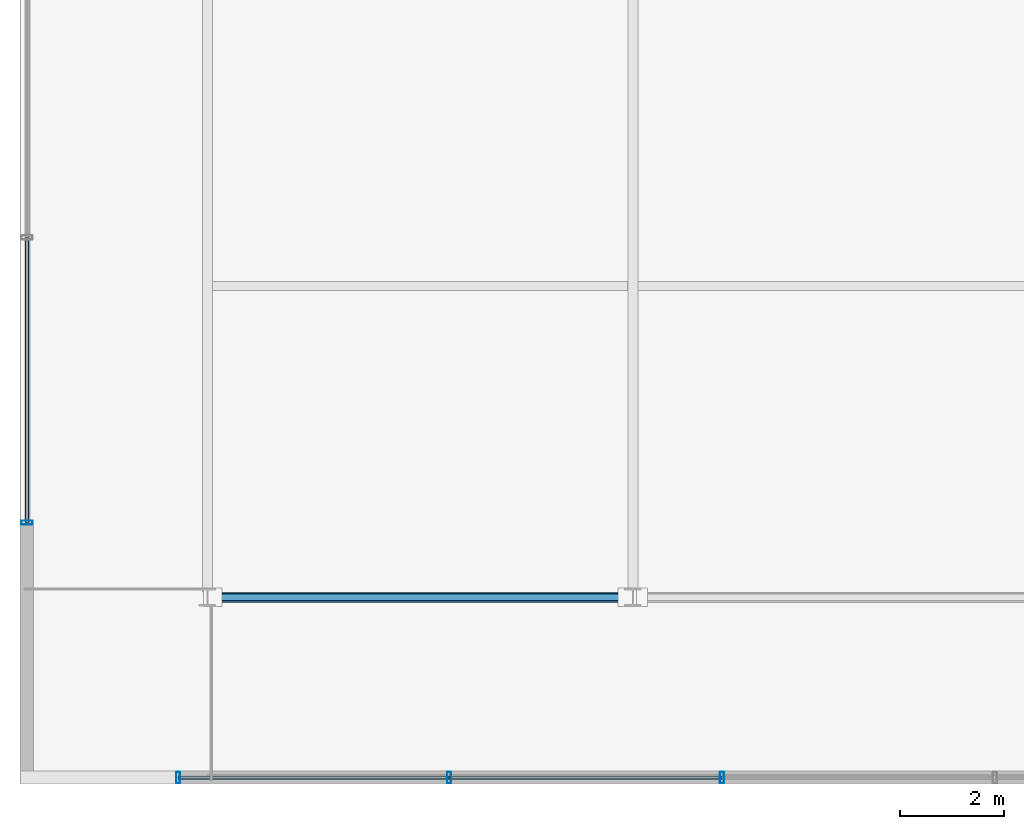
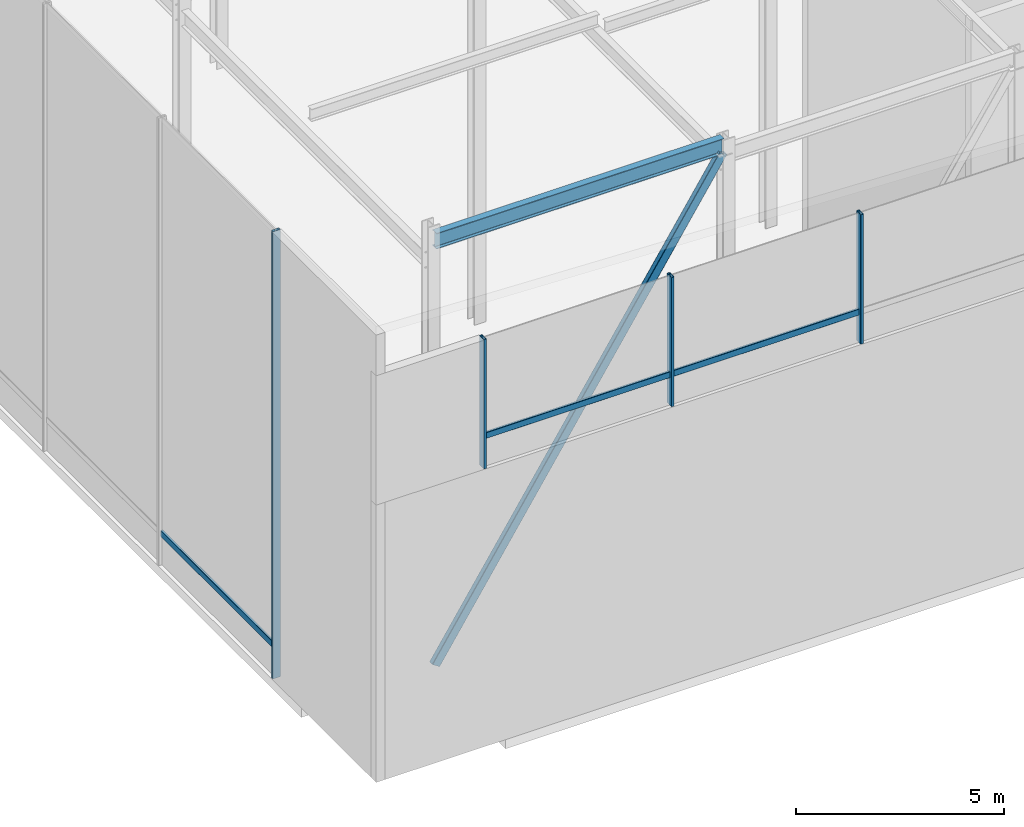
# One storey, part 5 of 39: 8 members, 1 beam, 2 elements without a shape of their own.
"""IFC4 building model written with IfcOpenShell, lengths in metres."""

import ifcopenshell
import ifcopenshell.guid

model = None  # the IFC model being written
_history = None  # IfcOwnerHistory: only IFC2X3 demands one
_inside = {}  # id of a spatial element -> (the spatial element, [elements in it])
_under = {}  # id of a project, library or spatial element -> (it, [spatial elements below it])
_declared = {}  # id of a project -> (the project, [libraries it declares])
_typed = {}  # id of a type object -> (the type object, [elements of that type])
_made_of = {}  # id of a material, layer set ... -> (it, [elements and type objects made of it])


def new_model(schema):
    """Start an empty IFC model of exactly this schema.

    Asked for "IFC4X3", IfcOpenShell would pick the latest addendum, in which some entities
    have other attributes; the version numbers below select the first issue.
    IFC2X3 requires an IfcOwnerHistory on every rooted entity: one is made here for all.
    """
    global model, _history
    if schema == "IFC4X3":
        model = ifcopenshell.file(schema_version=(4, 3, 0, 0))
    else:
        model = ifcopenshell.file(schema=schema)
    _inside.clear()
    _under.clear()
    _declared.clear()
    _typed.clear()
    _made_of.clear()
    _history = None
    if model.schema == "IFC2X3":
        org = make("IfcOrganization", Name="unknown")
        user = make(
            "IfcPersonAndOrganization",
            ThePerson=make("IfcPerson", FamilyName="unknown"),
            TheOrganization=org,
        )
        app = make(
            "IfcApplication",
            ApplicationDeveloper=org,
            Version="unknown",
            ApplicationFullName="unknown",
            ApplicationIdentifier="unknown",
        )
        _history = make(
            "IfcOwnerHistory",
            OwningUser=user,
            OwningApplication=app,
            ChangeAction="ADDED",
            CreationDate=0,
        )
    return model


def make(cls, **values):
    """One entity of the class cls with the attributes given. An attribute that is None is left unset."""
    return model.create_entity(
        cls, **{name: value for name, value in values.items() if value is not None}
    )


def rooted(cls, **values):
    """An entity with a GlobalId (a new one), such as an element, a storey or a relation."""
    return make(cls, GlobalId=ifcopenshell.guid.new(), OwnerHistory=_history, **values)


def si_unit(unit_type, name, prefix=None):
    """IfcSIUnit, for example si_unit("LENGTHUNIT", "METRE", prefix="MILLI")."""
    return make("IfcSIUnit", UnitType=unit_type, Prefix=prefix, Name=name)


def assignment(units):
    """IfcUnitAssignment: the units of a project."""
    return None if units is None else make("IfcUnitAssignment", Units=units)


def point(xyz):
    """IfcCartesianPoint."""
    return None if xyz is None else make("IfcCartesianPoint", Coordinates=xyz)


def direction(xyz):
    """IfcDirection."""
    return None if xyz is None else make("IfcDirection", DirectionRatios=xyz)


def frame(location, z_axis=None, x_axis=None):
    """IfcAxis2Placement3D, a coordinate frame: its origin and axes. An axis left out is left unset."""
    return make(
        "IfcAxis2Placement3D",
        Location=point(location),
        Axis=direction(z_axis),
        RefDirection=direction(x_axis),
    )


def frame_2d(location, x_axis=None):
    """IfcAxis2Placement2D, a coordinate frame in the plane: its origin and x axis."""
    return make(
        "IfcAxis2Placement2D", Location=point(location), RefDirection=direction(x_axis)
    )


def origin():
    """The frame at (0, 0, 0) with its axes left unset."""
    return frame((0.0, 0.0, 0.0))


def origin_2d():
    """The frame at (0, 0) in the plane with its x axis left unset."""
    return frame_2d((0.0, 0.0))


def place(relative_to, where):
    """IfcLocalPlacement: puts the frame where relative to a parent placement (None: the world)."""
    return make(
        "IfcLocalPlacement", PlacementRelTo=relative_to, RelativePlacement=where
    )


def context(
    kind, dimensions, precision=None, world=None, true_north=None, identifier=None
):
    """IfcGeometricRepresentationContext, for example the 3D "Model" context."""
    return make(
        "IfcGeometricRepresentationContext",
        ContextIdentifier=identifier,
        ContextType=kind,
        CoordinateSpaceDimension=dimensions,
        Precision=precision,
        WorldCoordinateSystem=world,
        TrueNorth=true_north,
    )


def subcontext(parent, identifier, kind, view, scale=None):
    """IfcGeometricRepresentationSubContext, for example "Body" below "Model"."""
    return make(
        "IfcGeometricRepresentationSubContext",
        ContextIdentifier=identifier,
        ContextType=kind,
        ParentContext=parent,
        TargetScale=scale,
        TargetView=view,
    )


def project(units=None, contexts=None):
    """IfcProject with its units and contexts."""
    return rooted(
        "IfcProject",
        Name="project",
        RepresentationContexts=contexts,
        UnitsInContext=assignment(units),
    )


def spatial(cls, under=None, at=None, **own):
    """A site, building, storey or space (cls), placed at a placement, below another one or the project."""
    s = rooted(cls, ObjectPlacement=at, **own)
    if under is not None:
        _under.setdefault(under.id(), (under, []))[1].append(s)
    return s


def profile(cls, at=None, kind="AREA", **sizes):
    """A parametric profile (cls). Its sizes go by their IFC names, for example OverallWidth=200.0."""
    return make(cls, ProfileType=kind, Position=at, **sizes)


def hollow_rectangle(**sizes):
    """IfcRectangleHollowProfileDef."""
    return profile("IfcRectangleHollowProfileDef", **sizes)


def i_section(**sizes):
    """IfcIShapeProfileDef."""
    return profile("IfcIShapeProfileDef", **sizes)


def extrude(swept, where, along, depth):
    """IfcExtrudedAreaSolid: the profile swept, set in the frame where, extruded along a direction by depth."""
    return make(
        "IfcExtrudedAreaSolid",
        SweptArea=swept,
        Position=where,
        ExtrudedDirection=direction(along),
        Depth=depth,
    )


def shape(context_of_items, identifier, shape_type, items):
    """IfcShapeRepresentation: the items that make up one representation, for example the "Body"."""
    return make(
        "IfcShapeRepresentation",
        ContextOfItems=context_of_items,
        RepresentationIdentifier=identifier,
        RepresentationType=shape_type,
        Items=items,
    )


def material(Name=None, Category=None):
    """IfcMaterial."""
    return make("IfcMaterial", Name=Name, Category=Category)


def layer(
    of_material, thickness, ventilated=None, Name=None, Category=None, Priority=None
):
    """IfcMaterialLayer: one layer of a wall or slab, of a material (None: an air gap)."""
    return make(
        "IfcMaterialLayer",
        Material=of_material,
        LayerThickness=thickness,
        IsVentilated=ventilated,
        Name=Name,
        Category=Category,
        Priority=Priority,
    )


def layer_set(layers, Name=None):
    """IfcMaterialLayerSet."""
    return make("IfcMaterialLayerSet", MaterialLayers=layers, LayerSetName=Name)


def material_profile(
    of_material, cross_section, Name=None, Category=None, Priority=None
):
    """IfcMaterialProfile: a cross section and its material."""
    return make(
        "IfcMaterialProfile",
        Name=Name,
        Material=of_material,
        Profile=cross_section,
        Priority=Priority,
        Category=Category,
    )


def profile_set(profiles, Name=None, composite=None):
    """IfcMaterialProfileSet."""
    return make(
        "IfcMaterialProfileSet",
        Name=Name,
        MaterialProfiles=profiles,
        CompositeProfile=composite,
    )


def made_of(thing, what):
    """Note that an element or type object is made of a material, layer set ...; save() writes the relation."""
    if what is not None:
        _made_of.setdefault(what.id(), (what, []))[1].append(thing)
    return thing


def type_object(cls, material=None, **own):
    """A type object (cls), such as IfcWallType, which elements share."""
    return made_of(rooted(cls, **own), material)


def element(
    cls,
    number,
    at=None,
    inside=None,
    cuts=None,
    type_object=None,
    material=None,
    context=None,
    identifier="Body",
    shape_type=None,
    held_by="IfcProductDefinitionShape",
    body=None,
    shapes=None,
    **own,
):
    """One element of the class cls, such as IfcWall. Its Tag is "e" and its number.

    at: its placement. inside: the storey or other place that contains it. cuts: it is an
    opening in that element (IfcRelVoidsElement). A single representation is given by context,
    identifier, shape_type and body (its items); several are given by shapes. held_by: the class
    of the entity that holds the representations. save() writes the other relations.
    """
    e = rooted(cls, Tag="e%d" % number, ObjectPlacement=at, **own)
    if body is not None:
        shapes = [shape(context, identifier, shape_type, body)]
    if shapes is not None:
        e.Representation = make(held_by, Representations=shapes)
    if inside is not None:
        _inside.setdefault(inside.id(), (inside, []))[1].append(e)
    if cuts is not None:
        rooted(
            "IfcRelVoidsElement", RelatingBuildingElement=cuts, RelatedOpeningElement=e
        )
    if type_object is not None:
        _typed.setdefault(type_object.id(), (type_object, []))[1].append(e)
    return made_of(e, material)


def aggregate(whole, parts):
    """IfcRelAggregates: a whole, such as a stair, and the parts it consists of."""
    return rooted("IfcRelAggregates", RelatingObject=whole, RelatedObjects=parts)


def save(model, path):
    """Write the relations noted so far, then the file.

    IfcRelAggregates (storeys below a building ...), IfcRelContainedInSpatialStructure (elements
    in a storey), IfcRelDefinesByType, IfcRelAssociatesMaterial and IfcRelDeclares: one each for
    every whole, place, type object, material and project.
    """
    for whole, parts in _under.values():
        aggregate(whole, parts)
    for where, things in _inside.values():
        rooted(
            "IfcRelContainedInSpatialStructure",
            RelatedElements=things,
            RelatingStructure=where,
        )
    for kind, things in _typed.values():
        rooted("IfcRelDefinesByType", RelatedObjects=things, RelatingType=kind)
    for what, things in _made_of.values():
        rooted("IfcRelAssociatesMaterial", RelatedObjects=things, RelatingMaterial=what)
    for by, libraries in _declared.values():
        rooted("IfcRelDeclares", RelatingContext=by, RelatedDefinitions=libraries)
    model.write(path)


model = new_model("IFC4")

# Units and contexts
model_context = context("Model", 3, precision=1e-05, world=origin(), true_north=direction((0.0, 1.0)))
body_context = subcontext(model_context, "Body", "Model", "MODEL_VIEW")
ifc_project = project(units=[si_unit("LENGTHUNIT", "METRE"), si_unit("AREAUNIT", "SQUARE_METRE"), si_unit("VOLUMEUNIT", "CUBIC_METRE"), si_unit("PLANEANGLEUNIT", "RADIAN"), si_unit("MASSUNIT", "GRAM", prefix="KILO")], contexts=[model_context])

# Site, building, storey
site_placement = place(None, origin())
site = spatial("IfcSite", under=ifc_project, at=site_placement, CompositionType="ELEMENT")
building_placement = place(site_placement, origin())
building = spatial("IfcBuilding", under=site, at=building_placement, Name="Korimba Cascade Residences", CompositionType="ELEMENT")
storey_placement = place(building_placement, frame((0.0, 0.0, 264.199951171875)))
storey = spatial("IfcBuildingStorey", under=building, at=storey_placement, Name="RF", CompositionType="ELEMENT", Elevation=264.199951171875)

# Beam
ifc_material_1 = material(Name="Steel S355", Category="steel")
ifc_material_profile_1 = material_profile(ifc_material_1, i_section(OverallWidth=0.19140625, OverallDepth=0.4599609375, WebThickness=0.010009765625, FlangeThickness=0.01611328125, FilletRadius=0.01025390625, at=origin_2d()), Name="Steel S355")
ifc_profile_set_1 = profile_set([ifc_material_profile_1], Name="Steel S355")
beam_type = type_object("IfcBeamType", Name="BM-STL-UB457", PredefinedType="JOIST", material=ifc_profile_set_1)
beam_placement = place(storey_placement, frame((59.905029296875, 55.199951171875, 12.481689453125), z_axis=(1.0, 0.0, 0.0), x_axis=(0.0, 1.0, 0.0)))
element("IfcBeam", 1, at=beam_placement, inside=storey, type_object=beam_type, Name="RF Crown Cap Ring Beam W1.1", PredefinedType="JOIST", context=body_context, shape_type="SweptSolid", body=[
    extrude(i_section(OverallWidth=0.19140625, OverallDepth=0.4599609375, WebThickness=0.010009765625, FlangeThickness=0.01611328125, FilletRadius=0.01025390625, at=origin_2d()), origin(), (0.0, 0.0, 1.0), 7.989990234375),
])

# Curtain wall, member
ifc_material_2 = material(Name="Anodised Aluminium Curtain Wall Framing", Category="aluminium")
ifc_layer = layer(ifc_material_2, 0.179931640625)
ifc_layer_set = layer_set([ifc_layer], Name="Anodised Aluminium Curtain Wall Framing")
curtain_wall_type = type_object("IfcCurtainWallType", Name="CW-CRNW-SYS5", PredefinedType="NOTDEFINED", material=ifc_layer_set)
curtain_wall_1_placement = place(storey_placement, origin())
curtain_wall_1 = element("IfcCurtainWall", 2, at=curtain_wall_1_placement, inside=storey, type_object=curtain_wall_type, Name="RF Curtain Wall CW-RF-CRN-W-1", PredefinedType="NOTDEFINED")
ifc_material_3 = material(Name="Anodised Aluminium Mullion", Category="aluminium")
ifc_material_profile_2 = material_profile(ifc_material_3, hollow_rectangle(XDim=0.080078125, YDim=0.219970703125, WallThickness=0.00634765625, InnerFilletRadius=0.00634765625, OuterFilletRadius=0.0126953125, at=origin_2d()), Name="Anodised Aluminium Mullion")
ifc_profile_set_2 = profile_set([ifc_material_profile_2], Name="Anodised Aluminium Mullion")
member_type_1 = type_object("IfcMemberType", Name="CWM-MUL-220", PredefinedType="MULLION", material=ifc_profile_set_2)
member_1_placement = place(storey_placement, frame((56.324951171875, 56.639892578125, 0.0), z_axis=(0.0, 0.0, 1.0), x_axis=(0.0, 1.0, 0.0)))
member_1 = element("IfcMember", 3, at=member_1_placement, type_object=member_type_1, Name="CW-RF-CRN-W-1 Mullion 1", PredefinedType="MULLION", context=body_context, shape_type="SweptSolid", body=[
    extrude(hollow_rectangle(XDim=0.080078125, YDim=0.219970703125, WallThickness=0.00634765625, InnerFilletRadius=0.00634765625, OuterFilletRadius=0.0126953125, at=origin_2d()), origin(), (0.0, 0.0, 1.0), 13.1455078125),
])

# Curtain wall, members
curtain_wall_2_placement = place(storey_placement, origin())
curtain_wall_2 = element("IfcCurtainWall", 4, at=curtain_wall_2_placement, inside=storey, type_object=curtain_wall_type, Name="RF Curtain Wall CW-RF-CRN-W-3", PredefinedType="NOTDEFINED")
member_2_placement = place(storey_placement, frame((59.239990234375, 51.72509765625, 8.150146484375), z_axis=(0.0, 0.0, 1.0), x_axis=(1.0, 0.0, 0.0)))
member_2 = element("IfcMember", 5, at=member_2_placement, type_object=member_type_1, Name="CW-RF-CRN-W-3 Mullion 1", PredefinedType="MULLION", context=body_context, shape_type="SweptSolid", body=[
    extrude(hollow_rectangle(XDim=0.080078125, YDim=0.219970703125, WallThickness=0.00634765625, InnerFilletRadius=0.00634765625, OuterFilletRadius=0.0126953125, at=origin_2d()), origin(), (0.0, 0.0, 1.0), 3.7998046875),
])
member_3_placement = place(storey_placement, frame((64.4599609375, 51.72509765625, 8.150146484375), z_axis=(0.0, 0.0, 1.0), x_axis=(1.0, 0.0, 0.0)))
member_3 = element("IfcMember", 6, at=member_3_placement, type_object=member_type_1, Name="CW-RF-CRN-W-3 Mullion 2", PredefinedType="MULLION", context=body_context, shape_type="SweptSolid", body=[
    extrude(hollow_rectangle(XDim=0.080078125, YDim=0.219970703125, WallThickness=0.00634765625, InnerFilletRadius=0.00634765625, OuterFilletRadius=0.0126953125, at=origin_2d()), origin(), (0.0, 0.0, 1.0), 3.7998046875),
])
member_4_placement = place(storey_placement, frame((69.719970703125, 51.72509765625, 8.150146484375), z_axis=(0.0, 0.0, 1.0), x_axis=(1.0, 0.0, 0.0)))
member_4 = element("IfcMember", 7, at=member_4_placement, type_object=member_type_1, Name="CW-RF-CRN-W-3 Mullion 3", PredefinedType="MULLION", context=body_context, shape_type="SweptSolid", body=[
    extrude(hollow_rectangle(XDim=0.080078125, YDim=0.219970703125, WallThickness=0.00634765625, InnerFilletRadius=0.00634765625, OuterFilletRadius=0.0126953125, at=origin_2d()), origin(), (0.0, 0.0, 1.0), 3.7998046875),
])

# Member
ifc_material_4 = material(Name="Anodised Aluminium Transom", Category="aluminium")
ifc_material_profile_3 = material_profile(ifc_material_4, hollow_rectangle(XDim=0.070068359375, YDim=0.179931640625, WallThickness=0.0048828125, InnerFilletRadius=0.0048828125, OuterFilletRadius=0.010009765625, at=origin_2d()), Name="Anodised Aluminium Transom")
ifc_profile_set_3 = profile_set([ifc_material_profile_3], Name="Anodised Aluminium Transom")
member_type_2 = type_object("IfcMemberType", Name="CWM-TRN-150", PredefinedType="USERDEFINED", material=ifc_profile_set_3)
member_5_placement = place(storey_placement, frame((56.324951171875, 56.639892578125, 0.900146484375), z_axis=(0.0, 1.0, 0.0), x_axis=(-1.0, 0.0, 0.0)))
member_5 = element("IfcMember", 8, at=member_5_placement, type_object=member_type_2, Name="CW-RF-CRN-W-1 Transom 1", ObjectType="TRANSOM", PredefinedType="USERDEFINED", context=body_context, shape_type="SweptSolid", body=[
    extrude(hollow_rectangle(XDim=0.070068359375, YDim=0.179931640625, WallThickness=0.0048828125, InnerFilletRadius=0.0048828125, OuterFilletRadius=0.010009765625, at=origin_2d()), origin(), (0.0, 0.0, 1.0), 5.493408203125),
])

aggregate(curtain_wall_1, [member_1, member_5])

member_6_placement = place(storey_placement, frame((59.239990234375, 51.72509765625, 9.050048828125), z_axis=(1.0, 0.0, 0.0), x_axis=(0.0, 1.0, 0.0)))
member_6 = element("IfcMember", 9, at=member_6_placement, type_object=member_type_2, Name="CW-RF-CRN-W-3 Transom 1", ObjectType="TRANSOM", PredefinedType="USERDEFINED", context=body_context, shape_type="SweptSolid", body=[
    extrude(hollow_rectangle(XDim=0.070068359375, YDim=0.179931640625, WallThickness=0.0048828125, InnerFilletRadius=0.0048828125, OuterFilletRadius=0.010009765625, at=origin_2d()), origin(), (0.0, 0.0, 1.0), 5.219970703125),
])

member_7_placement = place(storey_placement, frame((64.4599609375, 51.72509765625, 9.050048828125), z_axis=(1.0, 0.0, 0.0), x_axis=(0.0, 1.0, 0.0)))
member_7 = element("IfcMember", 10, at=member_7_placement, type_object=member_type_2, Name="CW-RF-CRN-W-3 Transom 2", ObjectType="TRANSOM", PredefinedType="USERDEFINED", context=body_context, shape_type="SweptSolid", body=[
    extrude(hollow_rectangle(XDim=0.070068359375, YDim=0.179931640625, WallThickness=0.0048828125, InnerFilletRadius=0.0048828125, OuterFilletRadius=0.010009765625, at=origin_2d()), origin(), (0.0, 0.0, 1.0), 5.260009765625),
])

aggregate(curtain_wall_2, [member_2, member_3, member_4, member_6, member_7])

ifc_material_profile_4 = material_profile(ifc_material_1, hollow_rectangle(XDim=0.14990234375, YDim=0.25, WallThickness=0.009033203125, InnerFilletRadius=0.009033203125, OuterFilletRadius=0.01806640625, at=origin_2d()), Name="Steel S355")
ifc_profile_set_4 = profile_set([ifc_material_profile_4], Name="Steel S355")
member_type_3 = type_object("IfcMemberType", Name="MEM-CRN-RHS250", PredefinedType="BRACE", material=ifc_profile_set_4)
member_8_placement = place(storey_placement, frame((59.905029296875, 55.199951171875, 0.0), z_axis=(0.546072317474, 0.0, 0.837738040254), x_axis=(0.0, 1.0, 0.0)))
element("IfcMember", 11, at=member_8_placement, inside=storey, type_object=member_type_3, Name="RF CROWN FRAME Diagonal Brace W1.1", PredefinedType="BRACE", context=body_context, shape_type="SweptSolid", body=[
    extrude(hollow_rectangle(XDim=0.14990234375, YDim=0.25, WallThickness=0.009033203125, InnerFilletRadius=0.009033203125, OuterFilletRadius=0.01806640625, at=origin_2d()), origin(), (0.0, 0.0, 1.0), 14.6318359375),
])

save(model, "model.ifc")
